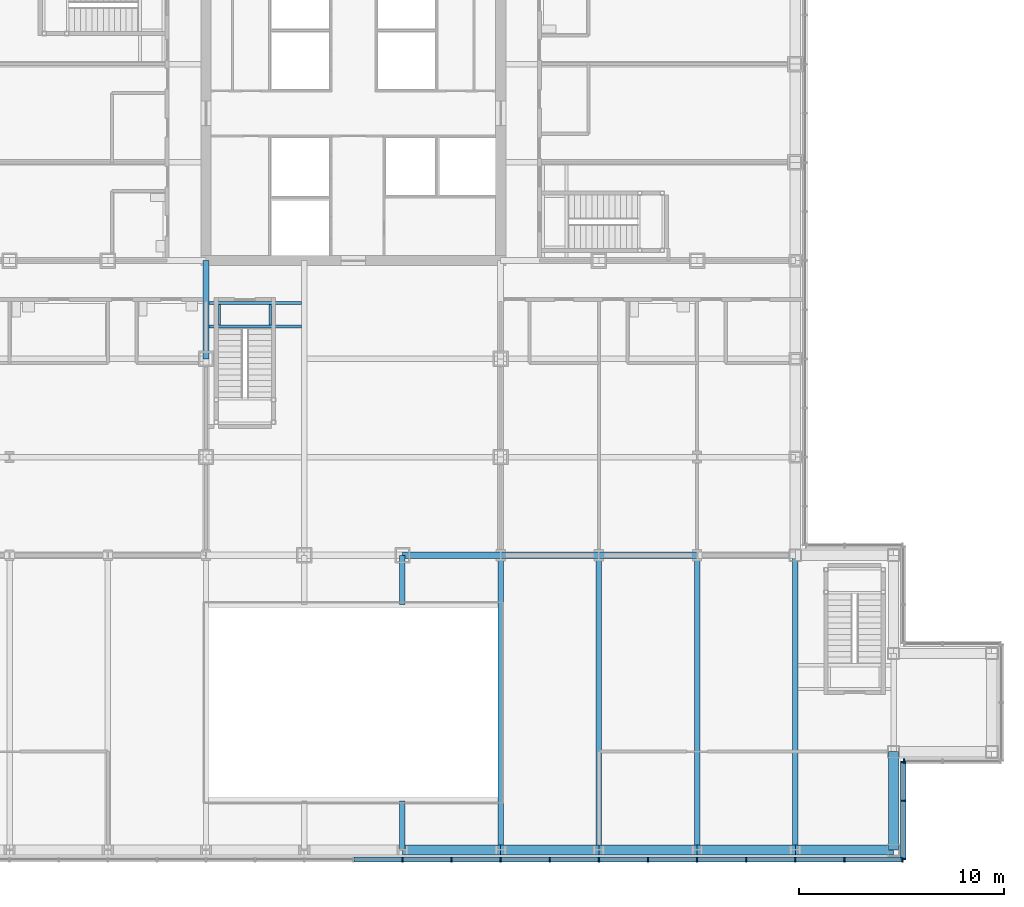
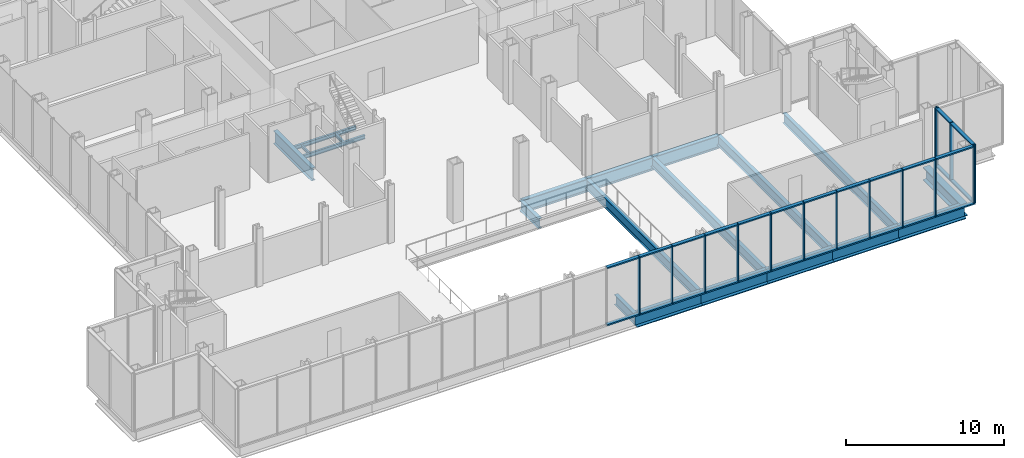
# One storey, part 13 of 26: 41 members, 20 beams, 3 elements without a shape of their own.
"""IFC4 building model written with IfcOpenShell, lengths in metres."""

from ifc_helpers import new_model, si_unit, direction, frame, origin, origin_2d, place, context, subcontext, project, spatial, rectangle, i_section, extrude, material, material_profile, profile_set, type_object, element, aggregate, save


model = new_model("IFC4")

# Units and contexts
model_context = context("Model", 3, precision=1e-05, world=origin(), true_north=direction((0.0, 1.0)))
body_context = subcontext(model_context, "Body", "Model", "MODEL_VIEW")
ifc_project = project(units=[si_unit("LENGTHUNIT", "METRE"), si_unit("AREAUNIT", "SQUARE_METRE"), si_unit("VOLUMEUNIT", "CUBIC_METRE"), si_unit("PLANEANGLEUNIT", "RADIAN"), si_unit("MASSUNIT", "GRAM", prefix="KILO")], contexts=[model_context])

# Site, building, storey
site_placement = place(None, origin())
site = spatial("IfcSite", under=ifc_project, at=site_placement, CompositionType="ELEMENT")
building_placement = place(site_placement, origin())
building = spatial("IfcBuilding", under=site, at=building_placement, Name="Kvirike Care Tower", CompositionType="ELEMENT")
storey_placement = place(building_placement, frame((0.0, 0.0, 18.0)))
storey = spatial("IfcBuildingStorey", under=building, at=storey_placement, Name="L04", CompositionType="ELEMENT", Elevation=18.0)

# Curtain wall, members
ifc_material_1 = material(Name="Anodised aluminium stick system", Category="aluminium")
curtain_wall_type = type_object("IfcCurtainWallType", Name="CW-P PODIUM STICK CURTAIN WALL", PredefinedType="NOTDEFINED", material=ifc_material_1)
curtain_wall_1_placement = place(storey_placement, origin())
curtain_wall_1 = element("IfcCurtainWall", 1, at=curtain_wall_1_placement, inside=storey, type_object=curtain_wall_type, Name="Curtain wall L04 face 1", PredefinedType="NOTDEFINED")
ifc_material_2 = material(Name="Bronze anodised aluminium mullion", Category="aluminium")
ifc_material_profile_1 = material_profile(ifc_material_2, rectangle(XDim=0.06494140625, YDim=0.25, at=origin_2d()), Name="CW-P MULLION 65x250")
ifc_profile_set_1 = profile_set([ifc_material_profile_1], Name="Bronze anodised aluminium mullion")
member_type_1 = type_object("IfcMemberType", Name="CW-P MULLION 65x250", PredefinedType="MULLION", material=ifc_profile_set_1)
member_1_placement = place(storey_placement, frame((24.0, -0.47509765625, 0.0), z_axis=(0.0, 0.0, 1.0), x_axis=(1.0, 0.0, 0.0)))
member_1 = element("IfcMember", 2, at=member_1_placement, type_object=member_type_1, Name="CW-P mullion L04 face 1.13", PredefinedType="MULLION", context=body_context, shape_type="SweptSolid", body=[
    extrude(rectangle(XDim=0.06494140625, YDim=0.25, at=origin_2d()), origin(), (0.0, 0.0, 1.0), 4.5),
])
member_2_placement = place(storey_placement, frame((26.39990234375, -0.47509765625, 0.0), z_axis=(0.0, 0.0, 1.0), x_axis=(1.0, 0.0, 0.0)))
member_2 = element("IfcMember", 3, at=member_2_placement, type_object=member_type_1, Name="CW-P mullion L04 face 1.14", PredefinedType="MULLION", context=body_context, shape_type="SweptSolid", body=[
    extrude(rectangle(XDim=0.06494140625, YDim=0.25, at=origin_2d()), origin(), (0.0, 0.0, 1.0), 4.5),
])
member_3_placement = place(storey_placement, frame((28.800048828125, -0.47509765625, 0.0), z_axis=(0.0, 0.0, 1.0), x_axis=(1.0, 0.0, 0.0)))
member_3 = element("IfcMember", 4, at=member_3_placement, type_object=member_type_1, Name="CW-P mullion L04 face 1.15", PredefinedType="MULLION", context=body_context, shape_type="SweptSolid", body=[
    extrude(rectangle(XDim=0.06494140625, YDim=0.25, at=origin_2d()), origin(), (0.0, 0.0, 1.0), 4.5),
])
member_4_placement = place(storey_placement, frame((31.199951171875, -0.47509765625, 0.0), z_axis=(0.0, 0.0, 1.0), x_axis=(1.0, 0.0, 0.0)))
member_4 = element("IfcMember", 5, at=member_4_placement, type_object=member_type_1, Name="CW-P mullion L04 face 1.16", PredefinedType="MULLION", context=body_context, shape_type="SweptSolid", body=[
    extrude(rectangle(XDim=0.06494140625, YDim=0.25, at=origin_2d()), origin(), (0.0, 0.0, 1.0), 4.5),
])
member_5_placement = place(storey_placement, frame((33.60009765625, -0.47509765625, 0.0), z_axis=(0.0, 0.0, 1.0), x_axis=(1.0, 0.0, 0.0)))
member_5 = element("IfcMember", 6, at=member_5_placement, type_object=member_type_1, Name="CW-P mullion L04 face 1.17", PredefinedType="MULLION", context=body_context, shape_type="SweptSolid", body=[
    extrude(rectangle(XDim=0.06494140625, YDim=0.25, at=origin_2d()), origin(), (0.0, 0.0, 1.0), 4.5),
])
member_6_placement = place(storey_placement, frame((36.0, -0.47509765625, 0.0), z_axis=(0.0, 0.0, 1.0), x_axis=(1.0, 0.0, 0.0)))
member_6 = element("IfcMember", 7, at=member_6_placement, type_object=member_type_1, Name="CW-P mullion L04 face 1.18", PredefinedType="MULLION", context=body_context, shape_type="SweptSolid", body=[
    extrude(rectangle(XDim=0.06494140625, YDim=0.25, at=origin_2d()), origin(), (0.0, 0.0, 1.0), 4.5),
])
member_7_placement = place(storey_placement, frame((38.39990234375, -0.47509765625, 0.0), z_axis=(0.0, 0.0, 1.0), x_axis=(1.0, 0.0, 0.0)))
member_7 = element("IfcMember", 8, at=member_7_placement, type_object=member_type_1, Name="CW-P mullion L04 face 1.19", PredefinedType="MULLION", context=body_context, shape_type="SweptSolid", body=[
    extrude(rectangle(XDim=0.06494140625, YDim=0.25, at=origin_2d()), origin(), (0.0, 0.0, 1.0), 4.5),
])
member_8_placement = place(storey_placement, frame((40.800048828125, -0.47509765625, 0.0), z_axis=(0.0, 0.0, 1.0), x_axis=(1.0, 0.0, 0.0)))
member_8 = element("IfcMember", 9, at=member_8_placement, type_object=member_type_1, Name="CW-P mullion L04 face 1.20", PredefinedType="MULLION", context=body_context, shape_type="SweptSolid", body=[
    extrude(rectangle(XDim=0.06494140625, YDim=0.25, at=origin_2d()), origin(), (0.0, 0.0, 1.0), 4.5),
])
member_9_placement = place(storey_placement, frame((43.199951171875, -0.47509765625, 0.0), z_axis=(0.0, 0.0, 1.0), x_axis=(1.0, 0.0, 0.0)))
member_9 = element("IfcMember", 10, at=member_9_placement, type_object=member_type_1, Name="CW-P mullion L04 face 1.21", PredefinedType="MULLION", context=body_context, shape_type="SweptSolid", body=[
    extrude(rectangle(XDim=0.06494140625, YDim=0.25, at=origin_2d()), origin(), (0.0, 0.0, 1.0), 4.5),
])
member_10_placement = place(storey_placement, frame((45.60009765625, -0.47509765625, 0.0), z_axis=(0.0, 0.0, 1.0), x_axis=(1.0, 0.0, 0.0)))
member_10 = element("IfcMember", 11, at=member_10_placement, type_object=member_type_1, Name="CW-P mullion L04 face 1.22", PredefinedType="MULLION", context=body_context, shape_type="SweptSolid", body=[
    extrude(rectangle(XDim=0.06494140625, YDim=0.25, at=origin_2d()), origin(), (0.0, 0.0, 1.0), 4.5),
])
member_11_placement = place(storey_placement, frame((48.4423828125, -0.47509765625, 0.0), z_axis=(0.0, 0.0, 1.0), x_axis=(1.0, 0.0, 0.0)))
member_11 = element("IfcMember", 12, at=member_11_placement, type_object=member_type_1, Name="CW-P mullion L04 face 1.23", PredefinedType="MULLION", context=body_context, shape_type="SweptSolid", body=[
    extrude(rectangle(XDim=0.06494140625, YDim=0.25, at=origin_2d()), origin(), (0.0, 0.0, 1.0), 4.5),
])

curtain_wall_2_placement = place(storey_placement, origin())
curtain_wall_2 = element("IfcCurtainWall", 13, at=curtain_wall_2_placement, inside=storey, type_object=curtain_wall_type, Name="Curtain wall L04 face 2", PredefinedType="NOTDEFINED")
member_12_placement = place(storey_placement, frame((48.47509765625, -0.4423828125, 0.0), z_axis=(0.0, 0.0, 1.0), x_axis=(0.0, 1.0, 0.0)))
member_12 = element("IfcMember", 14, at=member_12_placement, type_object=member_type_1, Name="CW-P mullion L04 face 2.1", PredefinedType="MULLION", context=body_context, shape_type="SweptSolid", body=[
    extrude(rectangle(XDim=0.06494140625, YDim=0.25, at=origin_2d()), origin(), (0.0, 0.0, 1.0), 4.5),
])
member_13_placement = place(storey_placement, frame((48.47509765625, 2.39990234375, 0.0), z_axis=(0.0, 0.0, 1.0), x_axis=(0.0, 1.0, 0.0)))
member_13 = element("IfcMember", 15, at=member_13_placement, type_object=member_type_1, Name="CW-P mullion L04 face 2.2", PredefinedType="MULLION", context=body_context, shape_type="SweptSolid", body=[
    extrude(rectangle(XDim=0.06494140625, YDim=0.25, at=origin_2d()), origin(), (0.0, 0.0, 1.0), 4.5),
])
member_14_placement = place(storey_placement, frame((48.47509765625, 4.29248046875, 0.0), z_axis=(0.0, 0.0, 1.0), x_axis=(0.0, 1.0, 0.0)))
member_14 = element("IfcMember", 16, at=member_14_placement, type_object=member_type_1, Name="CW-P mullion L04 face 2.3", PredefinedType="MULLION", context=body_context, shape_type="SweptSolid", body=[
    extrude(rectangle(XDim=0.06494140625, YDim=0.25, at=origin_2d()), origin(), (0.0, 0.0, 1.0), 4.5),
])

# Curtain wall, member
curtain_wall_3_placement = place(storey_placement, origin())
curtain_wall_3 = element("IfcCurtainWall", 17, at=curtain_wall_3_placement, inside=storey, type_object=curtain_wall_type, Name="Curtain wall L04 face 3", PredefinedType="NOTDEFINED")
member_15_placement = place(storey_placement, frame((48.507568359375, 4.324951171875, 0.0), z_axis=(0.0, 0.0, 1.0), x_axis=(1.0, 0.0, 0.0)))
member_15 = element("IfcMember", 18, at=member_15_placement, type_object=member_type_1, Name="CW-P mullion L04 face 3.1", PredefinedType="MULLION", context=body_context, shape_type="SweptSolid", body=[
    extrude(rectangle(XDim=0.06494140625, YDim=0.25, at=origin_2d()), origin(), (0.0, 0.0, 1.0), 4.5),
])
aggregate(curtain_wall_3, [member_15])

# Member
ifc_material_3 = material(Name="Bronze anodised aluminium transom", Category="aluminium")
ifc_material_profile_2 = material_profile(ifc_material_3, rectangle(XDim=0.25, YDim=0.10009765625, at=origin_2d()), Name="CW-P TRANSOM 250x100")
ifc_profile_set_2 = profile_set([ifc_material_profile_2], Name="Bronze anodised aluminium transom")
member_type_2 = type_object("IfcMemberType", Name="CW-P TRANSOM 250x100", PredefinedType="USERDEFINED", material=ifc_profile_set_2)
member_16_placement = place(storey_placement, frame((21.632568359375, -0.47509765625, 0.050048828125), z_axis=(1.0, 0.0, 0.0), x_axis=(0.0, 1.0, 0.0)))
member_16 = element("IfcMember", 19, at=member_16_placement, type_object=member_type_2, Name="CW-P sill transom L04 face 1.12", ObjectType="TRANSOM", PredefinedType="USERDEFINED", context=body_context, shape_type="SweptSolid", body=[
    extrude(rectangle(XDim=0.25, YDim=0.10009765625, at=origin_2d()), origin(), (0.0, 0.0, 1.0), 2.3349609375),
])

member_17_placement = place(storey_placement, frame((21.632568359375, -0.47509765625, 4.449951171875), z_axis=(1.0, 0.0, 0.0), x_axis=(0.0, 1.0, 0.0)))
member_17 = element("IfcMember", 20, at=member_17_placement, type_object=member_type_2, Name="CW-P head transom L04 face 1.12", ObjectType="TRANSOM", PredefinedType="USERDEFINED", context=body_context, shape_type="SweptSolid", body=[
    extrude(rectangle(XDim=0.25, YDim=0.10009765625, at=origin_2d()), origin(), (0.0, 0.0, 1.0), 2.3349609375),
])

member_18_placement = place(storey_placement, frame((24.032470703125, -0.47509765625, 0.050048828125), z_axis=(1.0, 0.0, 0.0), x_axis=(0.0, 1.0, 0.0)))
member_18 = element("IfcMember", 21, at=member_18_placement, type_object=member_type_2, Name="CW-P sill transom L04 face 1.13", ObjectType="TRANSOM", PredefinedType="USERDEFINED", context=body_context, shape_type="SweptSolid", body=[
    extrude(rectangle(XDim=0.25, YDim=0.10009765625, at=origin_2d()), origin(), (0.0, 0.0, 1.0), 2.3349609375),
])

member_19_placement = place(storey_placement, frame((24.032470703125, -0.47509765625, 4.449951171875), z_axis=(1.0, 0.0, 0.0), x_axis=(0.0, 1.0, 0.0)))
member_19 = element("IfcMember", 22, at=member_19_placement, type_object=member_type_2, Name="CW-P head transom L04 face 1.13", ObjectType="TRANSOM", PredefinedType="USERDEFINED", context=body_context, shape_type="SweptSolid", body=[
    extrude(rectangle(XDim=0.25, YDim=0.10009765625, at=origin_2d()), origin(), (0.0, 0.0, 1.0), 2.3349609375),
])

member_20_placement = place(storey_placement, frame((26.4326171875, -0.47509765625, 0.050048828125), z_axis=(1.0, 0.0, 0.0), x_axis=(0.0, 1.0, 0.0)))
member_20 = element("IfcMember", 23, at=member_20_placement, type_object=member_type_2, Name="CW-P sill transom L04 face 1.14", ObjectType="TRANSOM", PredefinedType="USERDEFINED", context=body_context, shape_type="SweptSolid", body=[
    extrude(rectangle(XDim=0.25, YDim=0.10009765625, at=origin_2d()), origin(), (0.0, 0.0, 1.0), 2.3349609375),
])

member_21_placement = place(storey_placement, frame((26.4326171875, -0.47509765625, 4.449951171875), z_axis=(1.0, 0.0, 0.0), x_axis=(0.0, 1.0, 0.0)))
member_21 = element("IfcMember", 24, at=member_21_placement, type_object=member_type_2, Name="CW-P head transom L04 face 1.14", ObjectType="TRANSOM", PredefinedType="USERDEFINED", context=body_context, shape_type="SweptSolid", body=[
    extrude(rectangle(XDim=0.25, YDim=0.10009765625, at=origin_2d()), origin(), (0.0, 0.0, 1.0), 2.3349609375),
])

member_22_placement = place(storey_placement, frame((28.83251953125, -0.47509765625, 0.050048828125), z_axis=(1.0, 0.0, 0.0), x_axis=(0.0, 1.0, 0.0)))
member_22 = element("IfcMember", 25, at=member_22_placement, type_object=member_type_2, Name="CW-P sill transom L04 face 1.15", ObjectType="TRANSOM", PredefinedType="USERDEFINED", context=body_context, shape_type="SweptSolid", body=[
    extrude(rectangle(XDim=0.25, YDim=0.10009765625, at=origin_2d()), origin(), (0.0, 0.0, 1.0), 2.3349609375),
])

member_23_placement = place(storey_placement, frame((28.83251953125, -0.47509765625, 4.449951171875), z_axis=(1.0, 0.0, 0.0), x_axis=(0.0, 1.0, 0.0)))
member_23 = element("IfcMember", 26, at=member_23_placement, type_object=member_type_2, Name="CW-P head transom L04 face 1.15", ObjectType="TRANSOM", PredefinedType="USERDEFINED", context=body_context, shape_type="SweptSolid", body=[
    extrude(rectangle(XDim=0.25, YDim=0.10009765625, at=origin_2d()), origin(), (0.0, 0.0, 1.0), 2.3349609375),
])

member_24_placement = place(storey_placement, frame((31.232421875, -0.47509765625, 0.050048828125), z_axis=(1.0, 0.0, 0.0), x_axis=(0.0, 1.0, 0.0)))
member_24 = element("IfcMember", 27, at=member_24_placement, type_object=member_type_2, Name="CW-P sill transom L04 face 1.16", ObjectType="TRANSOM", PredefinedType="USERDEFINED", context=body_context, shape_type="SweptSolid", body=[
    extrude(rectangle(XDim=0.25, YDim=0.10009765625, at=origin_2d()), origin(), (0.0, 0.0, 1.0), 2.3349609375),
])

member_25_placement = place(storey_placement, frame((31.232421875, -0.47509765625, 4.449951171875), z_axis=(1.0, 0.0, 0.0), x_axis=(0.0, 1.0, 0.0)))
member_25 = element("IfcMember", 28, at=member_25_placement, type_object=member_type_2, Name="CW-P head transom L04 face 1.16", ObjectType="TRANSOM", PredefinedType="USERDEFINED", context=body_context, shape_type="SweptSolid", body=[
    extrude(rectangle(XDim=0.25, YDim=0.10009765625, at=origin_2d()), origin(), (0.0, 0.0, 1.0), 2.3349609375),
])

member_26_placement = place(storey_placement, frame((33.632568359375, -0.47509765625, 0.050048828125), z_axis=(1.0, 0.0, 0.0), x_axis=(0.0, 1.0, 0.0)))
member_26 = element("IfcMember", 29, at=member_26_placement, type_object=member_type_2, Name="CW-P sill transom L04 face 1.17", ObjectType="TRANSOM", PredefinedType="USERDEFINED", context=body_context, shape_type="SweptSolid", body=[
    extrude(rectangle(XDim=0.25, YDim=0.10009765625, at=origin_2d()), origin(), (0.0, 0.0, 1.0), 2.3349609375),
])

member_27_placement = place(storey_placement, frame((33.632568359375, -0.47509765625, 4.449951171875), z_axis=(1.0, 0.0, 0.0), x_axis=(0.0, 1.0, 0.0)))
member_27 = element("IfcMember", 30, at=member_27_placement, type_object=member_type_2, Name="CW-P head transom L04 face 1.17", ObjectType="TRANSOM", PredefinedType="USERDEFINED", context=body_context, shape_type="SweptSolid", body=[
    extrude(rectangle(XDim=0.25, YDim=0.10009765625, at=origin_2d()), origin(), (0.0, 0.0, 1.0), 2.3349609375),
])

member_28_placement = place(storey_placement, frame((36.032470703125, -0.47509765625, 0.050048828125), z_axis=(1.0, 0.0, 0.0), x_axis=(0.0, 1.0, 0.0)))
member_28 = element("IfcMember", 31, at=member_28_placement, type_object=member_type_2, Name="CW-P sill transom L04 face 1.18", ObjectType="TRANSOM", PredefinedType="USERDEFINED", context=body_context, shape_type="SweptSolid", body=[
    extrude(rectangle(XDim=0.25, YDim=0.10009765625, at=origin_2d()), origin(), (0.0, 0.0, 1.0), 2.3349609375),
])

member_29_placement = place(storey_placement, frame((36.032470703125, -0.47509765625, 4.449951171875), z_axis=(1.0, 0.0, 0.0), x_axis=(0.0, 1.0, 0.0)))
member_29 = element("IfcMember", 32, at=member_29_placement, type_object=member_type_2, Name="CW-P head transom L04 face 1.18", ObjectType="TRANSOM", PredefinedType="USERDEFINED", context=body_context, shape_type="SweptSolid", body=[
    extrude(rectangle(XDim=0.25, YDim=0.10009765625, at=origin_2d()), origin(), (0.0, 0.0, 1.0), 2.3349609375),
])

member_30_placement = place(storey_placement, frame((38.4326171875, -0.47509765625, 0.050048828125), z_axis=(1.0, 0.0, 0.0), x_axis=(0.0, 1.0, 0.0)))
member_30 = element("IfcMember", 33, at=member_30_placement, type_object=member_type_2, Name="CW-P sill transom L04 face 1.19", ObjectType="TRANSOM", PredefinedType="USERDEFINED", context=body_context, shape_type="SweptSolid", body=[
    extrude(rectangle(XDim=0.25, YDim=0.10009765625, at=origin_2d()), origin(), (0.0, 0.0, 1.0), 2.3349609375),
])

member_31_placement = place(storey_placement, frame((38.4326171875, -0.47509765625, 4.449951171875), z_axis=(1.0, 0.0, 0.0), x_axis=(0.0, 1.0, 0.0)))
member_31 = element("IfcMember", 34, at=member_31_placement, type_object=member_type_2, Name="CW-P head transom L04 face 1.19", ObjectType="TRANSOM", PredefinedType="USERDEFINED", context=body_context, shape_type="SweptSolid", body=[
    extrude(rectangle(XDim=0.25, YDim=0.10009765625, at=origin_2d()), origin(), (0.0, 0.0, 1.0), 2.3349609375),
])

member_32_placement = place(storey_placement, frame((40.83251953125, -0.47509765625, 0.050048828125), z_axis=(1.0, 0.0, 0.0), x_axis=(0.0, 1.0, 0.0)))
member_32 = element("IfcMember", 35, at=member_32_placement, type_object=member_type_2, Name="CW-P sill transom L04 face 1.20", ObjectType="TRANSOM", PredefinedType="USERDEFINED", context=body_context, shape_type="SweptSolid", body=[
    extrude(rectangle(XDim=0.25, YDim=0.10009765625, at=origin_2d()), origin(), (0.0, 0.0, 1.0), 2.3349609375),
])

member_33_placement = place(storey_placement, frame((40.83251953125, -0.47509765625, 4.449951171875), z_axis=(1.0, 0.0, 0.0), x_axis=(0.0, 1.0, 0.0)))
member_33 = element("IfcMember", 36, at=member_33_placement, type_object=member_type_2, Name="CW-P head transom L04 face 1.20", ObjectType="TRANSOM", PredefinedType="USERDEFINED", context=body_context, shape_type="SweptSolid", body=[
    extrude(rectangle(XDim=0.25, YDim=0.10009765625, at=origin_2d()), origin(), (0.0, 0.0, 1.0), 2.3349609375),
])

member_34_placement = place(storey_placement, frame((43.232421875, -0.47509765625, 0.050048828125), z_axis=(1.0, 0.0, 0.0), x_axis=(0.0, 1.0, 0.0)))
member_34 = element("IfcMember", 37, at=member_34_placement, type_object=member_type_2, Name="CW-P sill transom L04 face 1.21", ObjectType="TRANSOM", PredefinedType="USERDEFINED", context=body_context, shape_type="SweptSolid", body=[
    extrude(rectangle(XDim=0.25, YDim=0.10009765625, at=origin_2d()), origin(), (0.0, 0.0, 1.0), 2.3349609375),
])

member_35_placement = place(storey_placement, frame((43.232421875, -0.47509765625, 4.449951171875), z_axis=(1.0, 0.0, 0.0), x_axis=(0.0, 1.0, 0.0)))
member_35 = element("IfcMember", 38, at=member_35_placement, type_object=member_type_2, Name="CW-P head transom L04 face 1.21", ObjectType="TRANSOM", PredefinedType="USERDEFINED", context=body_context, shape_type="SweptSolid", body=[
    extrude(rectangle(XDim=0.25, YDim=0.10009765625, at=origin_2d()), origin(), (0.0, 0.0, 1.0), 2.3349609375),
])

member_36_placement = place(storey_placement, frame((45.632568359375, -0.47509765625, 0.050048828125), z_axis=(1.0, 0.0, 0.0), x_axis=(0.0, 1.0, 0.0)))
member_36 = element("IfcMember", 39, at=member_36_placement, type_object=member_type_2, Name="CW-P sill transom L04 face 1.22", ObjectType="TRANSOM", PredefinedType="USERDEFINED", context=body_context, shape_type="SweptSolid", body=[
    extrude(rectangle(XDim=0.25, YDim=0.10009765625, at=origin_2d()), origin(), (0.0, 0.0, 1.0), 2.77734375),
])

member_37_placement = place(storey_placement, frame((45.632568359375, -0.47509765625, 4.449951171875), z_axis=(1.0, 0.0, 0.0), x_axis=(0.0, 1.0, 0.0)))
member_37 = element("IfcMember", 40, at=member_37_placement, type_object=member_type_2, Name="CW-P head transom L04 face 1.22", ObjectType="TRANSOM", PredefinedType="USERDEFINED", context=body_context, shape_type="SweptSolid", body=[
    extrude(rectangle(XDim=0.25, YDim=0.10009765625, at=origin_2d()), origin(), (0.0, 0.0, 1.0), 2.77734375),
])

aggregate(curtain_wall_1, [member_1, member_2, member_3, member_4, member_5, member_6, member_7, member_8, member_9, member_10, member_11, member_16, member_17, member_18, member_19, member_20, member_21, member_22, member_23, member_24, member_25, member_26, member_27, member_28, member_29, member_30, member_31, member_32, member_33, member_34, member_35, member_36, member_37])

member_38_placement = place(storey_placement, frame((48.47509765625, -0.409912109375, 0.050048828125), z_axis=(0.0, 1.0, 0.0), x_axis=(-1.0, 0.0, 0.0)))
member_38 = element("IfcMember", 41, at=member_38_placement, type_object=member_type_2, Name="CW-P sill transom L04 face 2.1", ObjectType="TRANSOM", PredefinedType="USERDEFINED", context=body_context, shape_type="SweptSolid", body=[
    extrude(rectangle(XDim=0.25, YDim=0.10009765625, at=origin_2d()), origin(), (0.0, 0.0, 1.0), 2.77734375),
])

member_39_placement = place(storey_placement, frame((48.47509765625, -0.409912109375, 4.449951171875), z_axis=(0.0, 1.0, 0.0), x_axis=(-1.0, 0.0, 0.0)))
member_39 = element("IfcMember", 42, at=member_39_placement, type_object=member_type_2, Name="CW-P head transom L04 face 2.1", ObjectType="TRANSOM", PredefinedType="USERDEFINED", context=body_context, shape_type="SweptSolid", body=[
    extrude(rectangle(XDim=0.25, YDim=0.10009765625, at=origin_2d()), origin(), (0.0, 0.0, 1.0), 2.77734375),
])

member_40_placement = place(storey_placement, frame((48.47509765625, 2.4326171875, 0.050048828125), z_axis=(0.0, 1.0, 0.0), x_axis=(-1.0, 0.0, 0.0)))
member_40 = element("IfcMember", 43, at=member_40_placement, type_object=member_type_2, Name="CW-P sill transom L04 face 2.2", ObjectType="TRANSOM", PredefinedType="USERDEFINED", context=body_context, shape_type="SweptSolid", body=[
    extrude(rectangle(XDim=0.25, YDim=0.10009765625, at=origin_2d()), origin(), (0.0, 0.0, 1.0), 1.827392578125),
])

member_41_placement = place(storey_placement, frame((48.47509765625, 2.4326171875, 4.449951171875), z_axis=(0.0, 1.0, 0.0), x_axis=(-1.0, 0.0, 0.0)))
member_41 = element("IfcMember", 44, at=member_41_placement, type_object=member_type_2, Name="CW-P head transom L04 face 2.2", ObjectType="TRANSOM", PredefinedType="USERDEFINED", context=body_context, shape_type="SweptSolid", body=[
    extrude(rectangle(XDim=0.25, YDim=0.10009765625, at=origin_2d()), origin(), (0.0, 0.0, 1.0), 1.827392578125),
])

aggregate(curtain_wall_2, [member_12, member_13, member_14, member_38, member_39, member_40, member_41])

# Beams
ifc_material_4 = material(Name="Steel S355", Category="steel")
ifc_material_profile_3 = material_profile(ifc_material_4, i_section(OverallWidth=0.26806640625, OverallDepth=0.77001953125, WebThickness=0.015625, FlangeThickness=0.025390625, FilletRadius=0.01708984375, at=origin_2d()), Name="IPE 750x196")
ifc_profile_set_3 = profile_set([ifc_material_profile_3], Name="Steel S355")
beam_type_1 = type_object("IfcBeamType", Name="FLOOR BEAM IPE 750x196", PredefinedType="BEAM", material=ifc_profile_set_3)
for number, where, z_axis, x_axis, name in (
    (45, (24.0, 0.0, -0.554931640625), (0.0, 1.0, 0.0), (-1.0, 0.0, 0.0), "Floor Beam A8-24.00/2.40 L04"),
    (46, (24.0, 12.0, -0.554931640625), (0.0, 1.0, 0.0), (-1.0, 0.0, 0.0), "Floor Beam 24.00/12.00-D8 L04"),
):
    element("IfcBeam", number, at=place(storey_placement, frame(where, z_axis=z_axis, x_axis=x_axis)), inside=storey, type_object=beam_type_1, Name=name, PredefinedType="BEAM", context=body_context, shape_type="SweptSolid", body=[
        extrude(i_section(OverallWidth=0.26806640625, OverallDepth=0.77001953125, WebThickness=0.015625, FlangeThickness=0.025390625, FilletRadius=0.01708984375, at=origin_2d()), origin(), (0.0, 0.0, 1.0), 2.39990234375),
    ])
for number, where, z_axis, x_axis, name in (
    (47, (28.800048828125, 0.0, -0.554931640625), (0.0, 1.0, 0.0), (-1.0, 0.0, 0.0), "Floor Beam A9-D9 L04"),
    (48, (33.60009765625, 0.0, -0.554931640625), (0.0, 1.0, 0.0), (-1.0, 0.0, 0.0), "Floor Beam A10-D10 L04"),
    (49, (38.39990234375, 0.0, -0.554931640625), (0.0, 1.0, 0.0), (-1.0, 0.0, 0.0), "Floor Beam A11-D11 L04"),
    (50, (43.199951171875, 0.0, -0.554931640625), (0.0, 1.0, 0.0), (-1.0, 0.0, 0.0), "Floor Beam A12-D12 L04"),
):
    element("IfcBeam", number, at=place(storey_placement, frame(where, z_axis=z_axis, x_axis=x_axis)), inside=storey, type_object=beam_type_1, Name=name, PredefinedType="BEAM", context=body_context, shape_type="SweptSolid", body=[
        extrude(i_section(OverallWidth=0.26806640625, OverallDepth=0.77001953125, WebThickness=0.015625, FlangeThickness=0.025390625, FilletRadius=0.01708984375, at=origin_2d()), origin(), (0.0, 0.0, 1.0), 14.39990234375),
    ])
ifc_material_5 = material(Name="Steel S355", Category="steel")
ifc_material_profile_4 = material_profile(ifc_material_5, i_section(OverallWidth=0.300048828125, OverallDepth=1.0, WebThickness=0.01904296875, FlangeThickness=0.035888671875, FilletRadius=0.030029296875, at=origin_2d()), Name="HE 1000 B")
ifc_profile_set_4 = profile_set([ifc_material_profile_4], Name="Steel S355")
beam_type_2 = type_object("IfcBeamType", Name="FRAME BEAM HE 1000 B", PredefinedType="BEAM", material=ifc_profile_set_4)
for number, where, z_axis, x_axis, name in (
    (51, (24.0, 14.39990234375, -0.669921875), (1.0, 0.0, 0.0), (0.0, 1.0, 0.0), "Frame Beam D8-D9 L04"),
    (52, (28.800048828125, 14.39990234375, -0.669921875), (1.0, 0.0, 0.0), (0.0, 1.0, 0.0), "Frame Beam D9-D10 L04"),
):
    element("IfcBeam", number, at=place(storey_placement, frame(where, z_axis=z_axis, x_axis=x_axis)), inside=storey, type_object=beam_type_2, Name=name, PredefinedType="BEAM", context=body_context, shape_type="SweptSolid", body=[
        extrude(i_section(OverallWidth=0.300048828125, OverallDepth=1.0, WebThickness=0.01904296875, FlangeThickness=0.035888671875, FilletRadius=0.030029296875, at=origin_2d()), origin(), (0.0, 0.0, 1.0), 4.800048828125),
    ])
beam_1_placement = place(storey_placement, frame((33.60009765625, 14.39990234375, -0.669921875), z_axis=(1.0, 0.0, 0.0), x_axis=(0.0, 1.0, 0.0)))
element("IfcBeam", 53, at=beam_1_placement, inside=storey, type_object=beam_type_2, Name="Frame Beam D10-D11 L04", PredefinedType="BEAM", context=body_context, shape_type="SweptSolid", body=[
    extrude(i_section(OverallWidth=0.300048828125, OverallDepth=1.0, WebThickness=0.01904296875, FlangeThickness=0.035888671875, FilletRadius=0.030029296875, at=origin_2d()), origin(), (0.0, 0.0, 1.0), 4.7998046875),
])
beam_2_placement = place(storey_placement, frame((14.39990234375, 24.0, -0.669921875), z_axis=(0.0, 1.0, 0.0), x_axis=(-1.0, 0.0, 0.0)))
element("IfcBeam", 54, at=beam_2_placement, inside=storey, type_object=beam_type_2, Name="Frame Beam F6-G6 L04", PredefinedType="BEAM", context=body_context, shape_type="SweptSolid", body=[
    extrude(i_section(OverallWidth=0.300048828125, OverallDepth=1.0, WebThickness=0.01904296875, FlangeThickness=0.035888671875, FilletRadius=0.030029296875, at=origin_2d()), origin(), (0.0, 0.0, 1.0), 4.800048828125),
])
ifc_material_6 = material(Name="Steel S355", Category="steel")
ifc_material_profile_5 = material_profile(ifc_material_6, i_section(OverallWidth=0.5, OverallDepth=1.0, WebThickness=0.030029296875, FlangeThickness=0.06005859375, at=origin_2d()), Name="PG 1000x500x30x60")
ifc_profile_set_5 = profile_set([ifc_material_profile_5], Name="Steel S355")
beam_type_3 = type_object("IfcBeamType", Name="SPANDREL PG 1000x500x30x60", PredefinedType="SPANDREL", material=ifc_profile_set_5)
for number, where, z_axis, x_axis, name in (
    (55, (24.0, 0.0, -0.669921875), (1.0, 0.0, 0.0), (0.0, 1.0, 0.0), "Spandrel A8-A9 L04"),
    (56, (28.800048828125, 0.0, -0.669921875), (1.0, 0.0, 0.0), (0.0, 1.0, 0.0), "Spandrel A9-A10 L04"),
):
    element("IfcBeam", number, at=place(storey_placement, frame(where, z_axis=z_axis, x_axis=x_axis)), inside=storey, type_object=beam_type_3, Name=name, PredefinedType="SPANDREL", context=body_context, shape_type="SweptSolid", body=[
        extrude(i_section(OverallWidth=0.5, OverallDepth=1.0, WebThickness=0.030029296875, FlangeThickness=0.06005859375, at=origin_2d()), origin(), (0.0, 0.0, 1.0), 4.800048828125),
    ])
beam_3_placement = place(storey_placement, frame((33.60009765625, 0.0, -0.669921875), z_axis=(1.0, 0.0, 0.0), x_axis=(0.0, 1.0, 0.0)))
element("IfcBeam", 57, at=beam_3_placement, inside=storey, type_object=beam_type_3, Name="Spandrel A10-A11 L04", PredefinedType="SPANDREL", context=body_context, shape_type="SweptSolid", body=[
    extrude(i_section(OverallWidth=0.5, OverallDepth=1.0, WebThickness=0.030029296875, FlangeThickness=0.06005859375, at=origin_2d()), origin(), (0.0, 0.0, 1.0), 4.7998046875),
])
for number, where, z_axis, x_axis, name in (
    (58, (38.39990234375, 0.0, -0.669921875), (1.0, 0.0, 0.0), (0.0, 1.0, 0.0), "Spandrel A11-A12 L04"),
    (59, (43.199951171875, 0.0, -0.669921875), (1.0, 0.0, 0.0), (0.0, 1.0, 0.0), "Spandrel A12-A13 L04"),
    (60, (48.0, 0.0, -0.669921875), (0.0, 1.0, 0.0), (-1.0, 0.0, 0.0), "Spandrel A13-B13 L04"),
):
    element("IfcBeam", number, at=place(storey_placement, frame(where, z_axis=z_axis, x_axis=x_axis)), inside=storey, type_object=beam_type_3, Name=name, PredefinedType="SPANDREL", context=body_context, shape_type="SweptSolid", body=[
        extrude(i_section(OverallWidth=0.5, OverallDepth=1.0, WebThickness=0.030029296875, FlangeThickness=0.06005859375, at=origin_2d()), origin(), (0.0, 0.0, 1.0), 4.800048828125),
    ])
ifc_material_7 = material(Name="Steel S355", Category="steel")
ifc_material_profile_6 = material_profile(ifc_material_7, i_section(OverallWidth=0.1201171875, OverallDepth=0.239990234375, WebThickness=0.006103515625, FlangeThickness=0.009765625, FilletRadius=0.014892578125, at=origin_2d()), Name="IPE 240")
ifc_profile_set_6 = profile_set([ifc_material_profile_6], Name="Steel S355")
beam_type_4 = type_object("IfcBeamType", Name="STAIR LANDING BEAM IPE 240", PredefinedType="BEAM", material=ifc_profile_set_6)
for number, where, z_axis, x_axis, name in (
    (61, (15.06005859375, 25.64990234375, -0.320068359375), (0.0, 1.0, 0.0), (-1.0, 0.0, 0.0), "Stair 5 landing edge beam 1 L04"),
    (62, (17.5400390625, 25.64990234375, -0.320068359375), (0.0, 1.0, 0.0), (-1.0, 0.0, 0.0), "Stair 5 landing edge beam 2 L04"),
):
    element("IfcBeam", number, at=place(storey_placement, frame(where, z_axis=z_axis, x_axis=x_axis)), inside=storey, type_object=beam_type_4, Name=name, PredefinedType="BEAM", context=body_context, shape_type="SweptSolid", body=[
        extrude(i_section(OverallWidth=0.1201171875, OverallDepth=0.239990234375, WebThickness=0.006103515625, FlangeThickness=0.009765625, FilletRadius=0.014892578125, at=origin_2d()), origin(), (0.0, 0.0, 1.0), 1.0),
    ])
ifc_material_8 = material(Name="Steel S355", Category="steel")
ifc_material_profile_7 = material_profile(ifc_material_8, i_section(OverallWidth=0.14990234375, OverallDepth=0.300048828125, WebThickness=0.007080078125, FlangeThickness=0.0107421875, FilletRadius=0.014892578125, at=origin_2d()), Name="IPE 300")
ifc_profile_set_7 = profile_set([ifc_material_profile_7], Name="Steel S355")
beam_type_5 = type_object("IfcBeamType", Name="STAIR TRIMMER IPE 300", PredefinedType="BEAM", material=ifc_profile_set_7)
for number, where, z_axis, x_axis, name in (
    (63, (14.550048828125, 25.574951171875, -0.35009765625), (1.0, 0.0, 0.0), (0.0, 1.0, 0.0), "Stair 5 trimmer 1 L04"),
    (64, (14.550048828125, 26.72509765625, -0.35009765625), (1.0, 0.0, 0.0), (0.0, 1.0, 0.0), "Stair 5 trimmer 2 L04"),
):
    element("IfcBeam", number, at=place(storey_placement, frame(where, z_axis=z_axis, x_axis=x_axis)), inside=storey, type_object=beam_type_5, Name=name, PredefinedType="BEAM", context=body_context, shape_type="SweptSolid", body=[
        extrude(i_section(OverallWidth=0.14990234375, OverallDepth=0.300048828125, WebThickness=0.007080078125, FlangeThickness=0.0107421875, FilletRadius=0.014892578125, at=origin_2d()), origin(), (0.0, 0.0, 1.0), 4.515869140625),
    ])

save(model, "model.ifc")
